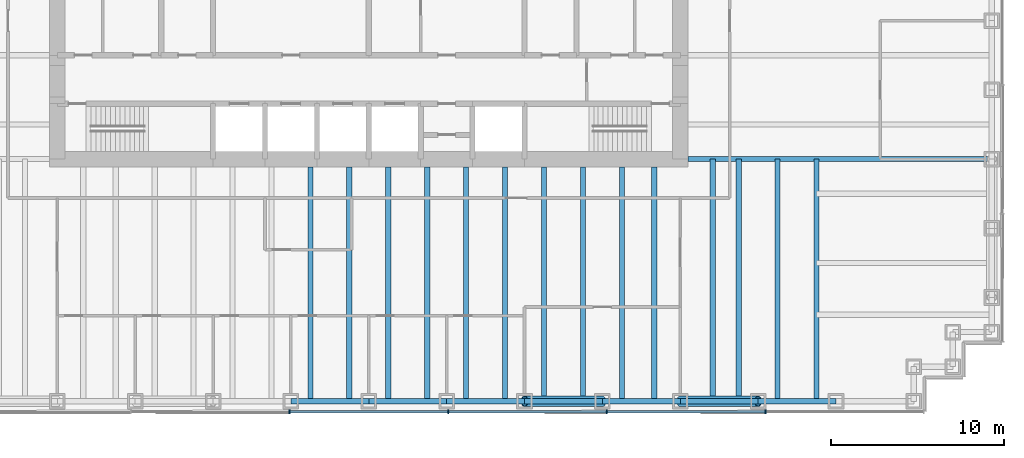
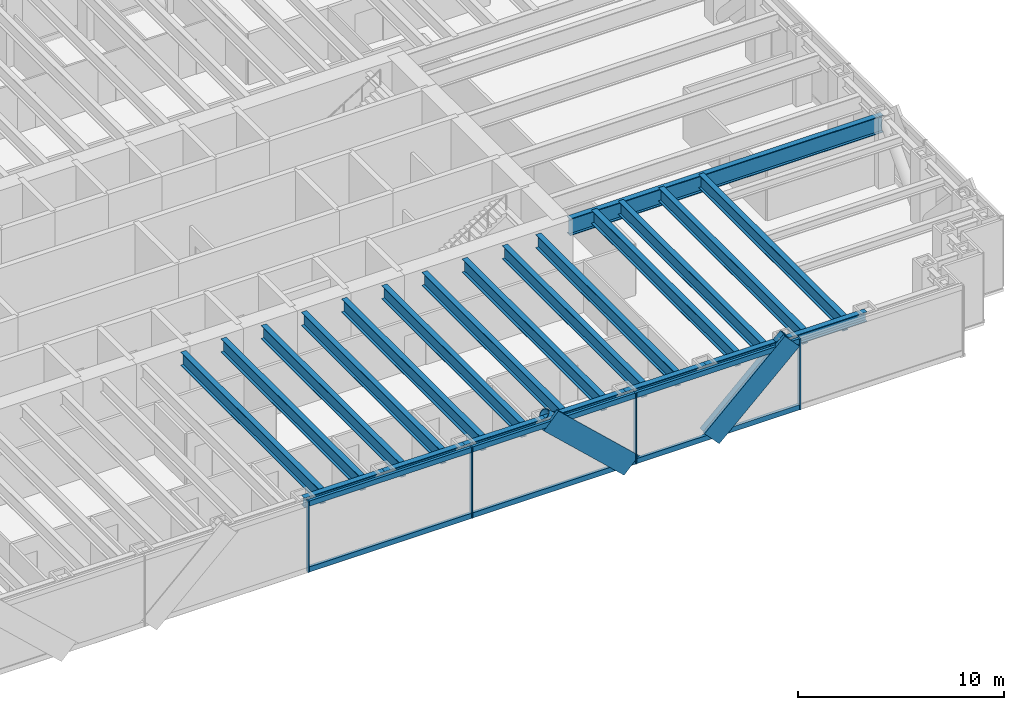
# One storey, part 4 of 15: 22 beams, 14 members, 1 element without a shape of its own.
"""IFC4 building model written with IfcOpenShell, lengths in metres."""

from ifc_helpers import new_model, si_unit, direction, frame, origin, origin_2d, place, context, subcontext, project, spatial, rectangle, hollow_circle, i_section, extrude, material, material_profile, profile_set, type_object, element, aggregate, save


model = new_model("IFC4")

# Units and contexts
model_context = context("Model", 3, precision=1e-05, world=origin(), true_north=direction((0.0, 1.0)))
body_context = subcontext(model_context, "Body", "Model", "MODEL_VIEW")
ifc_project = project(units=[si_unit("LENGTHUNIT", "METRE"), si_unit("AREAUNIT", "SQUARE_METRE"), si_unit("VOLUMEUNIT", "CUBIC_METRE"), si_unit("PLANEANGLEUNIT", "RADIAN"), si_unit("MASSUNIT", "GRAM", prefix="KILO")], contexts=[model_context])

# Site, building, storey
site_placement = place(None, origin())
site = spatial("IfcSite", under=ifc_project, at=site_placement, CompositionType="ELEMENT")
building_placement = place(site_placement, origin())
building = spatial("IfcBuilding", under=site, at=building_placement, Name="Rheinbord Bourse Tower", CompositionType="ELEMENT")
storey_placement = place(building_placement, frame((0.0, 0.0, 113.10009765625)))
storey = spatial("IfcBuildingStorey", under=building, at=storey_placement, Name="L24", CompositionType="ELEMENT", Elevation=113.10009765625)

# Curtain wall, members
ifc_material_1 = material(Name="Dark glass and black aluminium", Category="aluminium")
curtain_wall_type = type_object("IfcCurtainWallType", Name="CW2 DARK GLASS CURTAIN WALL", PredefinedType="USERDEFINED", material=ifc_material_1)
curtain_wall_placement = place(storey_placement, origin())
curtain_wall = element("IfcCurtainWall", 1, at=curtain_wall_placement, inside=storey, type_object=curtain_wall_type, Name="Curtain wall CW2 S L24", ObjectType="UNITISED CURTAIN WALL", PredefinedType="USERDEFINED")
ifc_material_2 = material(Name="Black anodised aluminium", Category="aluminium")
ifc_material_profile_1 = material_profile(ifc_material_2, rectangle(XDim=0.159912109375, YDim=1.2099609375, at=origin_2d()), Name="CW2 DIAGONAL MULLION 1210x160")
ifc_profile_set_1 = profile_set([ifc_material_profile_1], Name="Black anodised aluminium")
member_type_1 = type_object("IfcMemberType", Name="CW2 BLACK DIAGONAL MULLION", PredefinedType="USERDEFINED", material=ifc_profile_set_1)
member_1_placement = place(storey_placement, frame((54.0, 1.39990234375, 0.0), z_axis=(0.73105922506, 0.0, 0.682314010889), x_axis=(0.0, 1.0, 0.0)))
member_1 = element("IfcMember", 2, at=member_1_placement, type_object=member_type_1, Name="CW2 diagonal mullion b", ObjectType="DIAGONAL MULLION", PredefinedType="USERDEFINED", context=body_context, shape_type="SweptSolid", body=[
    extrude(rectangle(XDim=0.159912109375, YDim=1.2099609375, at=origin_2d()), origin(), (0.0, 0.0, 1.0), 6.155517578125),
])
member_2_placement = place(storey_placement, frame((49.5, 1.39990234375, 0.0), z_axis=(-0.73105922506, 0.0, 0.682314010889), x_axis=(0.0, -1.0, 0.0)))
member_2 = element("IfcMember", 3, at=member_2_placement, type_object=member_type_1, Name="CW2 diagonal mullion d", ObjectType="DIAGONAL MULLION", PredefinedType="USERDEFINED", context=body_context, shape_type="SweptSolid", body=[
    extrude(rectangle(XDim=0.159912109375, YDim=1.2099609375, at=origin_2d()), origin(), (0.0, 0.0, 1.0), 6.155517578125),
])
ifc_material_3 = material(Name="Black anodised aluminium", Category="aluminium")
ifc_material_profile_2 = material_profile(ifc_material_3, rectangle(XDim=0.219970703125, YDim=0.070068359375, at=origin_2d()), Name="CW2 MULLION 70x220")
ifc_profile_set_2 = profile_set([ifc_material_profile_2], Name="Black anodised aluminium")
member_type_2 = type_object("IfcMemberType", Name="CW2 BLACK MULLION", PredefinedType="MULLION", material=ifc_profile_set_2)
member_3_placement = place(storey_placement, frame((31.414306640625, 1.39990234375, 0.0), z_axis=(0.0, 0.0, 1.0), x_axis=(0.0, 1.0, 0.0)))
member_3 = element("IfcMember", 4, at=member_3_placement, type_object=member_type_2, Name="CW2 mullion 4", PredefinedType="MULLION", context=body_context, shape_type="SweptSolid", body=[
    extrude(rectangle(XDim=0.219970703125, YDim=0.070068359375, at=origin_2d()), origin(), (0.0, 0.0, 1.0), 4.199951171875),
])
member_4_placement = place(storey_placement, frame((40.585693359375, 1.39990234375, 0.0), z_axis=(0.0, 0.0, 1.0), x_axis=(0.0, 1.0, 0.0)))
member_4 = element("IfcMember", 5, at=member_4_placement, type_object=member_type_2, Name="CW2 mullion 5", PredefinedType="MULLION", context=body_context, shape_type="SweptSolid", body=[
    extrude(rectangle(XDim=0.219970703125, YDim=0.070068359375, at=origin_2d()), origin(), (0.0, 0.0, 1.0), 4.199951171875),
])
member_5_placement = place(storey_placement, frame((49.757080078125, 1.39990234375, 0.0), z_axis=(0.0, 0.0, 1.0), x_axis=(0.0, 1.0, 0.0)))
member_5 = element("IfcMember", 6, at=member_5_placement, type_object=member_type_2, Name="CW2 mullion 6", PredefinedType="MULLION", context=body_context, shape_type="SweptSolid", body=[
    extrude(rectangle(XDim=0.219970703125, YDim=0.070068359375, at=origin_2d()), origin(), (0.0, 0.0, 1.0), 4.199951171875),
])
member_6_placement = place(storey_placement, frame((58.928466796875, 1.39990234375, 0.0), z_axis=(0.0, 0.0, 1.0), x_axis=(0.0, 1.0, 0.0)))
member_6 = element("IfcMember", 7, at=member_6_placement, type_object=member_type_2, Name="CW2 mullion 7", PredefinedType="MULLION", context=body_context, shape_type="SweptSolid", body=[
    extrude(rectangle(XDim=0.219970703125, YDim=0.070068359375, at=origin_2d()), origin(), (0.0, 0.0, 1.0), 4.199951171875),
])
ifc_material_4 = material(Name="Black anodised aluminium", Category="aluminium")
ifc_material_profile_3 = material_profile(ifc_material_4, rectangle(XDim=0.159912109375, YDim=0.300048828125, at=origin_2d()), Name="CW2 TRANSOM 300x160")
ifc_profile_set_3 = profile_set([ifc_material_profile_3], Name="Black anodised aluminium")
member_type_3 = type_object("IfcMemberType", Name="CW2 BLACK TRANSOM", PredefinedType="USERDEFINED", material=ifc_profile_set_3)
member_7_placement = place(storey_placement, frame((31.44921875, 1.39990234375, 0.14990234375), z_axis=(1.0, 0.0, 0.0), x_axis=(0.0, 1.0, 0.0)))
member_7 = element("IfcMember", 8, at=member_7_placement, type_object=member_type_3, Name="CW2 transom 4.1", ObjectType="TRANSOM", PredefinedType="USERDEFINED", context=body_context, shape_type="SweptSolid", body=[
    extrude(rectangle(XDim=0.159912109375, YDim=0.300048828125, at=origin_2d()), origin(), (0.0, 0.0, 1.0), 9.1015625),
])
member_8_placement = place(storey_placement, frame((31.44921875, 1.39990234375, 4.0498046875), z_axis=(1.0, 0.0, 0.0), x_axis=(0.0, 1.0, 0.0)))
member_8 = element("IfcMember", 9, at=member_8_placement, type_object=member_type_3, Name="CW2 transom 4.2", ObjectType="TRANSOM", PredefinedType="USERDEFINED", context=body_context, shape_type="SweptSolid", body=[
    extrude(rectangle(XDim=0.159912109375, YDim=0.300048828125, at=origin_2d()), origin(), (0.0, 0.0, 1.0), 9.1015625),
])
member_9_placement = place(storey_placement, frame((40.62060546875, 1.39990234375, 0.14990234375), z_axis=(1.0, 0.0, 0.0), x_axis=(0.0, 1.0, 0.0)))
member_9 = element("IfcMember", 10, at=member_9_placement, type_object=member_type_3, Name="CW2 transom 5.1", ObjectType="TRANSOM", PredefinedType="USERDEFINED", context=body_context, shape_type="SweptSolid", body=[
    extrude(rectangle(XDim=0.159912109375, YDim=0.300048828125, at=origin_2d()), origin(), (0.0, 0.0, 1.0), 9.1015625),
])
member_10_placement = place(storey_placement, frame((40.62060546875, 1.39990234375, 4.0498046875), z_axis=(1.0, 0.0, 0.0), x_axis=(0.0, 1.0, 0.0)))
member_10 = element("IfcMember", 11, at=member_10_placement, type_object=member_type_3, Name="CW2 transom 5.2", ObjectType="TRANSOM", PredefinedType="USERDEFINED", context=body_context, shape_type="SweptSolid", body=[
    extrude(rectangle(XDim=0.159912109375, YDim=0.300048828125, at=origin_2d()), origin(), (0.0, 0.0, 1.0), 9.1015625),
])
member_11_placement = place(storey_placement, frame((49.792236328125, 1.39990234375, 0.14990234375), z_axis=(1.0, 0.0, 0.0), x_axis=(0.0, 1.0, 0.0)))
member_11 = element("IfcMember", 12, at=member_11_placement, type_object=member_type_3, Name="CW2 transom 6.1", ObjectType="TRANSOM", PredefinedType="USERDEFINED", context=body_context, shape_type="SweptSolid", body=[
    extrude(rectangle(XDim=0.159912109375, YDim=0.300048828125, at=origin_2d()), origin(), (0.0, 0.0, 1.0), 9.101318359375),
])
member_12_placement = place(storey_placement, frame((49.792236328125, 1.39990234375, 4.0498046875), z_axis=(1.0, 0.0, 0.0), x_axis=(0.0, 1.0, 0.0)))
member_12 = element("IfcMember", 13, at=member_12_placement, type_object=member_type_3, Name="CW2 transom 6.2", ObjectType="TRANSOM", PredefinedType="USERDEFINED", context=body_context, shape_type="SweptSolid", body=[
    extrude(rectangle(XDim=0.159912109375, YDim=0.300048828125, at=origin_2d()), origin(), (0.0, 0.0, 1.0), 9.101318359375),
])
aggregate(curtain_wall, [member_3, member_4, member_5, member_6, member_7, member_8, member_9, member_10, member_11, member_12, member_1, member_2])

# Beams
ifc_material_5 = material(Name="Steel S460", Category="steel")
ifc_material_profile_4 = material_profile(ifc_material_5, i_section(OverallWidth=0.300048828125, OverallDepth=0.800048828125, WebThickness=0.017578125, FlangeThickness=0.032958984375, at=origin_2d()), Name="HEB 800")
ifc_profile_set_4 = profile_set([ifc_material_profile_4], Name="Steel S460")
beam_type_1 = type_object("IfcBeamType", Name="FLOOR BEAM HEB 800", PredefinedType="BEAM", material=ifc_profile_set_4)
for number, where, z_axis, x_axis, name in (
    (14, (32.625, 2.0, 3.639892578125), (0.0, 1.0, 0.0), (-1.0, 0.0, 0.0), "Floor beam S-31.5a L25"),
    (15, (34.875, 2.0, 3.639892578125), (0.0, 1.0, 0.0), (-1.0, 0.0, 0.0), "Floor beam S-31.5b L25"),
    (16, (37.125, 2.0, 3.639892578125), (0.0, 1.0, 0.0), (-1.0, 0.0, 0.0), "Floor beam S-36a L25"),
    (17, (39.375, 2.0, 3.639892578125), (0.0, 1.0, 0.0), (-1.0, 0.0, 0.0), "Floor beam S-36b L25"),
    (18, (41.625, 2.0, 3.639892578125), (0.0, 1.0, 0.0), (-1.0, 0.0, 0.0), "Floor beam S-40.5a L25"),
    (19, (43.875, 2.0, 3.639892578125), (0.0, 1.0, 0.0), (-1.0, 0.0, 0.0), "Floor beam S-40.5b L25"),
    (20, (46.125, 2.0, 3.639892578125), (0.0, 1.0, 0.0), (-1.0, 0.0, 0.0), "Floor beam S-45a L25"),
    (21, (48.375, 2.0, 3.639892578125), (0.0, 1.0, 0.0), (-1.0, 0.0, 0.0), "Floor beam S-45b L25"),
    (22, (50.625, 2.0, 3.639892578125), (0.0, 1.0, 0.0), (-1.0, 0.0, 0.0), "Floor beam S-49.5a L25"),
    (23, (52.5, 2.0, 3.639892578125), (0.0, 1.0, 0.0), (-1.0, 0.0, 0.0), "Floor beam S-49.5b L25"),
):
    element("IfcBeam", number, at=place(storey_placement, frame(where, z_axis=z_axis, x_axis=x_axis)), inside=storey, type_object=beam_type_1, Name=name, PredefinedType="BEAM", context=body_context, shape_type="SweptSolid", body=[
        extrude(i_section(OverallWidth=0.300048828125, OverallDepth=0.800048828125, WebThickness=0.017578125, FlangeThickness=0.032958984375, at=origin_2d()), origin(), (0.0, 0.0, 1.0), 13.550048828125),
    ])
for number, where, z_axis, x_axis, name in (
    (24, (55.875, 2.0, 3.639892578125), (0.0, 1.0, 0.0), (-1.0, 0.0, 0.0), "Floor beam S-54a L25"),
    (25, (57.375, 2.0, 3.639892578125), (0.0, 1.0, 0.0), (-1.0, 0.0, 0.0), "Floor beam S-54b L25"),
    (26, (59.625, 2.0, 3.639892578125), (0.0, 1.0, 0.0), (-1.0, 0.0, 0.0), "Floor beam S-58.5a L25"),
    (27, (61.875, 2.0, 3.639892578125), (0.0, 1.0, 0.0), (-1.0, 0.0, 0.0), "Floor beam S-58.5b L25"),
):
    element("IfcBeam", number, at=place(storey_placement, frame(where, z_axis=z_axis, x_axis=x_axis)), inside=storey, type_object=beam_type_1, Name=name, PredefinedType="BEAM", context=body_context, shape_type="SweptSolid", body=[
        extrude(i_section(OverallWidth=0.300048828125, OverallDepth=0.800048828125, WebThickness=0.017578125, FlangeThickness=0.032958984375, at=origin_2d()), origin(), (0.0, 0.0, 1.0), 14.0),
    ])
ifc_material_6 = material(Name="Steel S460", Category="steel")
ifc_material_profile_5 = material_profile(ifc_material_6, i_section(OverallWidth=0.302001953125, OverallDepth=1.008056640625, WebThickness=0.02099609375, FlangeThickness=0.0400390625, at=origin_2d()), Name="HEM 1000")
ifc_profile_set_5 = profile_set([ifc_material_profile_5], Name="Steel S460")
beam_type_2 = type_object("IfcBeamType", Name="GIRDER HEM 1000", PredefinedType="BEAM", material=ifc_profile_set_5)
beam_placement = place(storey_placement, frame((54.449951171875, 16.0, 3.535888671875), z_axis=(1.0, 0.0, 0.0), x_axis=(0.0, 1.0, 0.0)))
element("IfcBeam", 28, at=beam_placement, inside=storey, type_object=beam_type_2, Name="Girder east 16 L25", PredefinedType="BEAM", context=body_context, shape_type="SweptSolid", body=[
    extrude(i_section(OverallWidth=0.302001953125, OverallDepth=1.008056640625, WebThickness=0.02099609375, FlangeThickness=0.0400390625, at=origin_2d()), origin(), (0.0, 0.0, 1.0), 17.550048828125),
])

# Members
ifc_material_7 = material(Name="Steel S460", Category="steel")
ifc_material_profile_6 = material_profile(ifc_material_7, hollow_circle(Radius=0.304931640625, WallThickness=0.0400390625, at=origin_2d()), Name="CHS 610x40")
ifc_profile_set_6 = profile_set([ifc_material_profile_6], Name="Steel S460")
member_type_4 = type_object("IfcMemberType", Name="MEGABRACE CHS 610x40", PredefinedType="BRACE", material=ifc_profile_set_6)
for number, where, z_axis, x_axis, name in (
    (29, (54.0, 2.0, 0.0), (0.73105922506, 0.0, 0.682314010889), (0.0, 1.0, 0.0), "Megabrace S face line b L24"),
    (30, (49.5, 2.0, 0.0), (-0.73105922506, 0.0, 0.682314010889), (0.0, -1.0, 0.0), "Megabrace S face line d L24"),
):
    element("IfcMember", number, at=place(storey_placement, frame(where, z_axis=z_axis, x_axis=x_axis)), inside=storey, type_object=member_type_4, Name=name, PredefinedType="BRACE", context=body_context, shape_type="SweptSolid", body=[
        extrude(hollow_circle(Radius=0.304931640625, WallThickness=0.0400390625, at=origin_2d()), origin(), (0.0, 0.0, 1.0), 6.155517578125),
    ])

# Beams
ifc_material_8 = material(Name="Steel S460", Category="steel")
ifc_material_profile_7 = material_profile(ifc_material_8, i_section(OverallWidth=0.305908203125, OverallDepth=0.572021484375, WebThickness=0.02099609375, FlangeThickness=0.0400390625, at=origin_2d()), Name="HEM 550")
ifc_profile_set_7 = profile_set([ifc_material_profile_7], Name="Steel S460")
beam_type_3 = type_object("IfcBeamType", Name="SPANDREL HEM 550", PredefinedType="SPANDREL", material=ifc_profile_set_7)
for number, where, z_axis, x_axis, name in (
    (31, (31.5, 2.0, 3.75390625), (1.0, 0.0, 0.0), (0.0, 1.0, 0.0), "Spandrel S-31.5-S-36 under L25"),
    (32, (36.0, 2.0, 3.75390625), (1.0, 0.0, 0.0), (0.0, 1.0, 0.0), "Spandrel S-36-S-40.5 under L25"),
    (33, (40.5, 2.0, 3.75390625), (1.0, 0.0, 0.0), (0.0, 1.0, 0.0), "Spandrel S-40.5-S-45 under L25"),
    (34, (45.0, 2.0, 3.75390625), (1.0, 0.0, 0.0), (0.0, 1.0, 0.0), "Spandrel S-45-S-49.5 under L25"),
    (35, (49.5, 2.0, 3.75390625), (1.0, 0.0, 0.0), (0.0, 1.0, 0.0), "Spandrel S-49.5-S-54 under L25"),
    (36, (54.0, 2.0, 3.75390625), (1.0, 0.0, 0.0), (0.0, 1.0, 0.0), "Spandrel S-54-S-58.5 under L25"),
    (37, (58.5, 2.0, 3.75390625), (1.0, 0.0, 0.0), (0.0, 1.0, 0.0), "Spandrel S-58.5-S-63 under L25"),
):
    element("IfcBeam", number, at=place(storey_placement, frame(where, z_axis=z_axis, x_axis=x_axis)), inside=storey, type_object=beam_type_3, Name=name, PredefinedType="SPANDREL", context=body_context, shape_type="SweptSolid", body=[
        extrude(i_section(OverallWidth=0.305908203125, OverallDepth=0.572021484375, WebThickness=0.02099609375, FlangeThickness=0.0400390625, at=origin_2d()), origin(), (0.0, 0.0, 1.0), 4.5),
    ])

save(model, "model.ifc")
